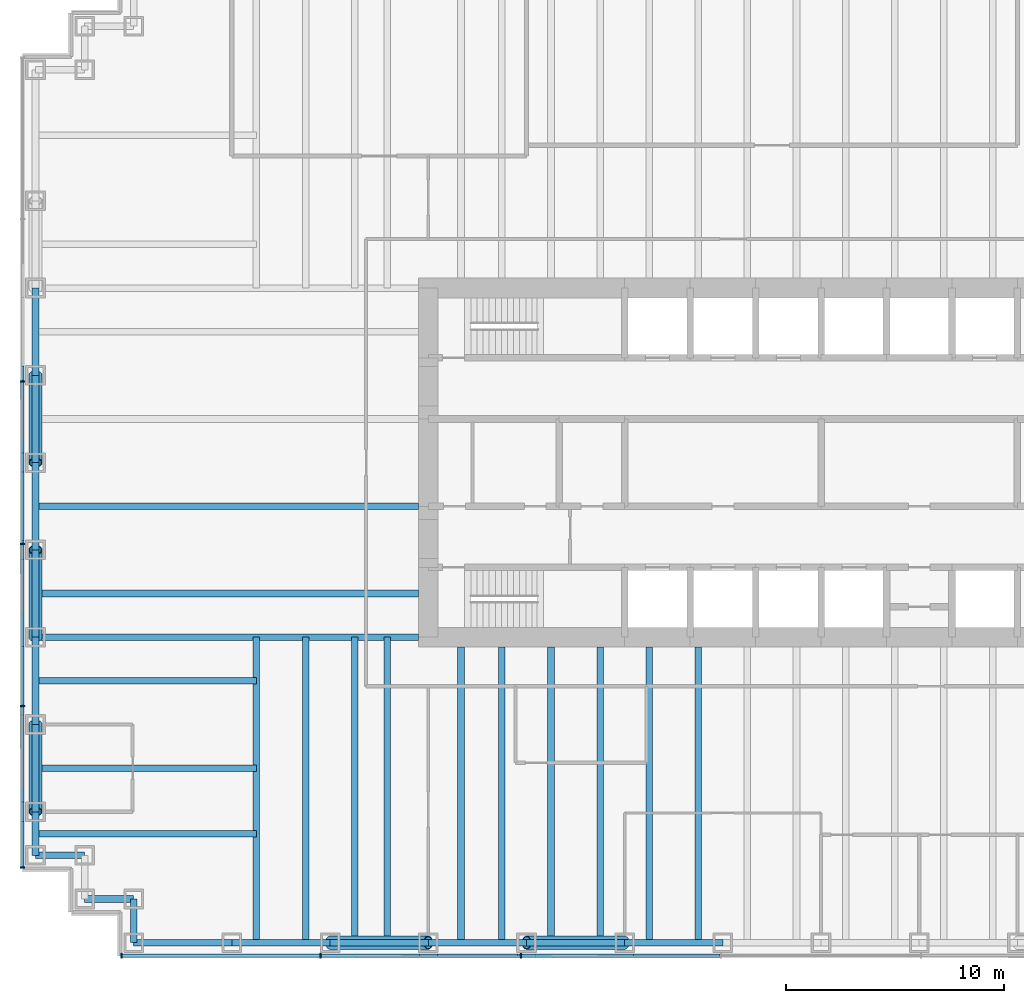
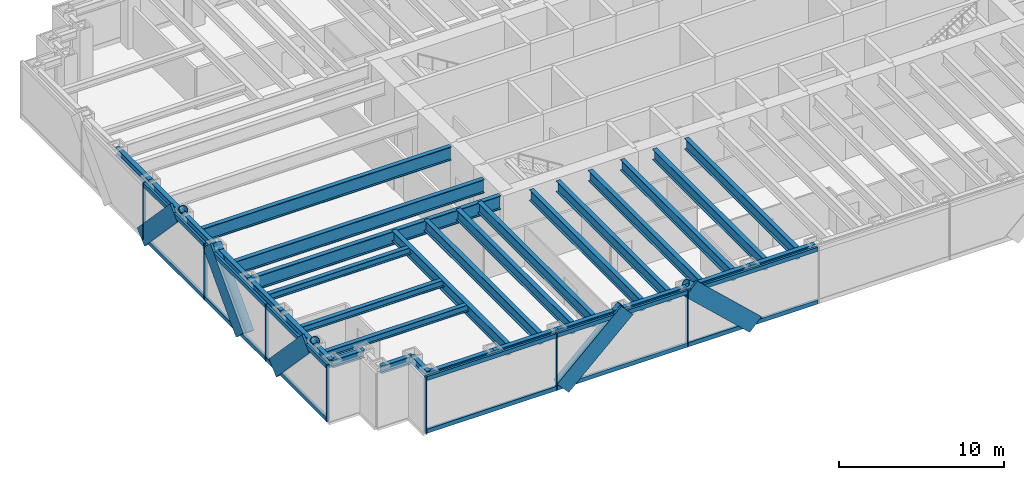
# One storey, part 2 of 15: 32 beams, 29 members, 2 elements without a shape of their own.
"""IFC4 building model written with IfcOpenShell, lengths in metres."""

from ifc_helpers import new_model, si_unit, direction, frame, origin, origin_2d, place, context, subcontext, project, spatial, rectangle, hollow_circle, i_section, extrude, material, material_profile, profile_set, type_object, element, aggregate, save


model = new_model("IFC4")

# Units and contexts
model_context = context("Model", 3, precision=1e-05, world=origin(), true_north=direction((0.0, 1.0)))
body_context = subcontext(model_context, "Body", "Model", "MODEL_VIEW")
ifc_project = project(units=[si_unit("LENGTHUNIT", "METRE"), si_unit("AREAUNIT", "SQUARE_METRE"), si_unit("VOLUMEUNIT", "CUBIC_METRE"), si_unit("PLANEANGLEUNIT", "RADIAN"), si_unit("MASSUNIT", "GRAM", prefix="KILO")], contexts=[model_context])

# Site, building, storey
site_placement = place(None, origin())
site = spatial("IfcSite", under=ifc_project, at=site_placement, CompositionType="ELEMENT")
building_placement = place(site_placement, origin())
building = spatial("IfcBuilding", under=site, at=building_placement, Name="Rheinbord Bourse Tower", CompositionType="ELEMENT")
storey_placement = place(building_placement, frame((0.0, 0.0, 134.10009765625)))
storey = spatial("IfcBuildingStorey", under=building, at=storey_placement, Name="L29", CompositionType="ELEMENT", Elevation=134.10009765625)

# Curtain wall, members
ifc_material_1 = material(Name="Dark glass and black aluminium", Category="aluminium")
curtain_wall_type = type_object("IfcCurtainWallType", Name="CW2 DARK GLASS CURTAIN WALL", PredefinedType="USERDEFINED", material=ifc_material_1)
curtain_wall_1_placement = place(storey_placement, origin())
curtain_wall_1 = element("IfcCurtainWall", 1, at=curtain_wall_1_placement, inside=storey, type_object=curtain_wall_type, Name="Curtain wall CW2 S L29", ObjectType="UNITISED CURTAIN WALL", PredefinedType="USERDEFINED")
ifc_material_2 = material(Name="Black anodised aluminium", Category="aluminium")
ifc_material_profile_1 = material_profile(ifc_material_2, rectangle(XDim=0.159912109375, YDim=1.2099609375, at=origin_2d()), Name="CW2 DIAGONAL MULLION 1210x160")
ifc_profile_set_1 = profile_set([ifc_material_profile_1], Name="Black anodised aluminium")
member_type_1 = type_object("IfcMemberType", Name="CW2 BLACK DIAGONAL MULLION", PredefinedType="USERDEFINED", material=ifc_profile_set_1)
member_1_placement = place(storey_placement, frame((13.5, 1.39990234375, 0.0), z_axis=(0.73105922506, 0.0, 0.682314010889), x_axis=(0.0, 1.0, 0.0)))
member_1 = element("IfcMember", 2, at=member_1_placement, type_object=member_type_1, Name="CW2 diagonal mullion a", ObjectType="DIAGONAL MULLION", PredefinedType="USERDEFINED", context=body_context, shape_type="SweptSolid", body=[
    extrude(rectangle(XDim=0.159912109375, YDim=1.2099609375, at=origin_2d()), origin(), (0.0, 0.0, 1.0), 6.155517578125),
])
member_2_placement = place(storey_placement, frame((27.0, 1.39990234375, 0.0), z_axis=(-0.73105922506, 0.0, 0.682314010889), x_axis=(0.0, -1.0, 0.0)))
member_2 = element("IfcMember", 3, at=member_2_placement, type_object=member_type_1, Name="CW2 diagonal mullion d", ObjectType="DIAGONAL MULLION", PredefinedType="USERDEFINED", context=body_context, shape_type="SweptSolid", body=[
    extrude(rectangle(XDim=0.159912109375, YDim=1.2099609375, at=origin_2d()), origin(), (0.0, 0.0, 1.0), 6.155517578125),
])

curtain_wall_2_placement = place(storey_placement, origin())
curtain_wall_2 = element("IfcCurtainWall", 4, at=curtain_wall_2_placement, inside=storey, type_object=curtain_wall_type, Name="Curtain wall CW2 W L29", ObjectType="UNITISED CURTAIN WALL", PredefinedType="USERDEFINED")
member_3_placement = place(storey_placement, frame((-0.60009765625, 28.0, 0.0), z_axis=(0.0, -0.689659376744, 0.724133926887), x_axis=(1.0, 0.0, 0.0)))
member_3 = element("IfcMember", 5, at=member_3_placement, type_object=member_type_1, Name="CW2 diagonal mullion a", ObjectType="DIAGONAL MULLION", PredefinedType="USERDEFINED", context=body_context, shape_type="SweptSolid", body=[
    extrude(rectangle(XDim=0.159912109375, YDim=1.2099609375, at=origin_2d()), origin(), (0.0, 0.0, 1.0), 5.800048828125),
])
member_4_placement = place(storey_placement, frame((-0.60009765625, 16.0, 0.0), z_axis=(0.0, 0.689659376744, 0.724133926887), x_axis=(-1.0, 0.0, 0.0)))
member_4 = element("IfcMember", 6, at=member_4_placement, type_object=member_type_1, Name="CW2 diagonal mullion b", ObjectType="DIAGONAL MULLION", PredefinedType="USERDEFINED", context=body_context, shape_type="SweptSolid", body=[
    extrude(rectangle(XDim=0.159912109375, YDim=1.2099609375, at=origin_2d()), origin(), (0.0, 0.0, 1.0), 5.800048828125),
])
member_5_placement = place(storey_placement, frame((-0.60009765625, 12.0, 0.0), z_axis=(0.0, -0.689659376744, 0.724133926887), x_axis=(1.0, 0.0, 0.0)))
member_5 = element("IfcMember", 7, at=member_5_placement, type_object=member_type_1, Name="CW2 diagonal mullion c", ObjectType="DIAGONAL MULLION", PredefinedType="USERDEFINED", context=body_context, shape_type="SweptSolid", body=[
    extrude(rectangle(XDim=0.159912109375, YDim=1.2099609375, at=origin_2d()), origin(), (0.0, 0.0, 1.0), 5.800048828125),
])

# Member
ifc_material_3 = material(Name="Black anodised aluminium", Category="aluminium")
ifc_material_profile_2 = material_profile(ifc_material_3, rectangle(XDim=0.219970703125, YDim=0.070068359375, at=origin_2d()), Name="CW2 MULLION 70x220")
ifc_profile_set_2 = profile_set([ifc_material_profile_2], Name="Black anodised aluminium")
member_type_2 = type_object("IfcMemberType", Name="CW2 BLACK MULLION", PredefinedType="MULLION", material=ifc_profile_set_2)
member_6_placement = place(storey_placement, frame((3.93505859375, 1.39990234375, 0.0), z_axis=(0.0, 0.0, 1.0), x_axis=(0.0, 1.0, 0.0)))
member_6 = element("IfcMember", 8, at=member_6_placement, type_object=member_type_2, Name="CW2 mullion 1", PredefinedType="MULLION", context=body_context, shape_type="SweptSolid", body=[
    extrude(rectangle(XDim=0.219970703125, YDim=0.070068359375, at=origin_2d()), origin(), (0.0, 0.0, 1.0), 4.199951171875),
])

member_7_placement = place(storey_placement, frame((13.071533203125, 1.39990234375, 0.0), z_axis=(0.0, 0.0, 1.0), x_axis=(0.0, 1.0, 0.0)))
member_7 = element("IfcMember", 9, at=member_7_placement, type_object=member_type_2, Name="CW2 mullion 2", PredefinedType="MULLION", context=body_context, shape_type="SweptSolid", body=[
    extrude(rectangle(XDim=0.219970703125, YDim=0.070068359375, at=origin_2d()), origin(), (0.0, 0.0, 1.0), 4.199951171875),
])

member_8_placement = place(storey_placement, frame((22.242919921875, 1.39990234375, 0.0), z_axis=(0.0, 0.0, 1.0), x_axis=(0.0, 1.0, 0.0)))
member_8 = element("IfcMember", 10, at=member_8_placement, type_object=member_type_2, Name="CW2 mullion 3", PredefinedType="MULLION", context=body_context, shape_type="SweptSolid", body=[
    extrude(rectangle(XDim=0.219970703125, YDim=0.070068359375, at=origin_2d()), origin(), (0.0, 0.0, 1.0), 4.199951171875),
])

member_9_placement = place(storey_placement, frame((-0.60009765625, 27.719970703125, 0.0), z_axis=(0.0, 0.0, 1.0), x_axis=(1.0, 0.0, 0.0)))
member_9 = element("IfcMember", 11, at=member_9_placement, type_object=member_type_2, Name="CW2 mullion 3", PredefinedType="MULLION", context=body_context, shape_type="SweptSolid", body=[
    extrude(rectangle(XDim=0.219970703125, YDim=0.070068359375, at=origin_2d()), origin(), (0.0, 0.0, 1.0), 4.199951171875),
])

member_10_placement = place(storey_placement, frame((-0.60009765625, 20.280029296875, 0.0), z_axis=(0.0, 0.0, 1.0), x_axis=(1.0, 0.0, 0.0)))
member_10 = element("IfcMember", 12, at=member_10_placement, type_object=member_type_2, Name="CW2 mullion 4", PredefinedType="MULLION", context=body_context, shape_type="SweptSolid", body=[
    extrude(rectangle(XDim=0.219970703125, YDim=0.070068359375, at=origin_2d()), origin(), (0.0, 0.0, 1.0), 4.199951171875),
])

member_11_placement = place(storey_placement, frame((-0.60009765625, 12.840087890625, 0.0), z_axis=(0.0, 0.0, 1.0), x_axis=(1.0, 0.0, 0.0)))
member_11 = element("IfcMember", 13, at=member_11_placement, type_object=member_type_2, Name="CW2 mullion 5", PredefinedType="MULLION", context=body_context, shape_type="SweptSolid", body=[
    extrude(rectangle(XDim=0.219970703125, YDim=0.070068359375, at=origin_2d()), origin(), (0.0, 0.0, 1.0), 4.199951171875),
])

member_12_placement = place(storey_placement, frame((-0.60009765625, 5.43505859375, 0.0), z_axis=(0.0, 0.0, 1.0), x_axis=(1.0, 0.0, 0.0)))
member_12 = element("IfcMember", 14, at=member_12_placement, type_object=member_type_2, Name="CW2 mullion 6", PredefinedType="MULLION", context=body_context, shape_type="SweptSolid", body=[
    extrude(rectangle(XDim=0.219970703125, YDim=0.070068359375, at=origin_2d()), origin(), (0.0, 0.0, 1.0), 4.199951171875),
])

ifc_material_4 = material(Name="Black anodised aluminium", Category="aluminium")
ifc_material_profile_3 = material_profile(ifc_material_4, rectangle(XDim=0.159912109375, YDim=0.300048828125, at=origin_2d()), Name="CW2 TRANSOM 300x160")
ifc_profile_set_3 = profile_set([ifc_material_profile_3], Name="Black anodised aluminium")
member_type_3 = type_object("IfcMemberType", Name="CW2 BLACK TRANSOM", PredefinedType="USERDEFINED", material=ifc_profile_set_3)
member_13_placement = place(storey_placement, frame((3.969970703125, 1.39990234375, 0.14990234375), z_axis=(1.0, 0.0, 0.0), x_axis=(0.0, 1.0, 0.0)))
member_13 = element("IfcMember", 15, at=member_13_placement, type_object=member_type_3, Name="CW2 transom 1.1", ObjectType="TRANSOM", PredefinedType="USERDEFINED", context=body_context, shape_type="SweptSolid", body=[
    extrude(rectangle(XDim=0.159912109375, YDim=0.300048828125, at=origin_2d()), origin(), (0.0, 0.0, 1.0), 9.06640625),
])

member_14_placement = place(storey_placement, frame((3.969970703125, 1.39990234375, 4.0498046875), z_axis=(1.0, 0.0, 0.0), x_axis=(0.0, 1.0, 0.0)))
member_14 = element("IfcMember", 16, at=member_14_placement, type_object=member_type_3, Name="CW2 transom 1.2", ObjectType="TRANSOM", PredefinedType="USERDEFINED", context=body_context, shape_type="SweptSolid", body=[
    extrude(rectangle(XDim=0.159912109375, YDim=0.300048828125, at=origin_2d()), origin(), (0.0, 0.0, 1.0), 9.06640625),
])

member_15_placement = place(storey_placement, frame((13.1064453125, 1.39990234375, 0.14990234375), z_axis=(1.0, 0.0, 0.0), x_axis=(0.0, 1.0, 0.0)))
member_15 = element("IfcMember", 17, at=member_15_placement, type_object=member_type_3, Name="CW2 transom 2.1", ObjectType="TRANSOM", PredefinedType="USERDEFINED", context=body_context, shape_type="SweptSolid", body=[
    extrude(rectangle(XDim=0.159912109375, YDim=0.300048828125, at=origin_2d()), origin(), (0.0, 0.0, 1.0), 9.101318359375),
])

member_16_placement = place(storey_placement, frame((13.1064453125, 1.39990234375, 4.0498046875), z_axis=(1.0, 0.0, 0.0), x_axis=(0.0, 1.0, 0.0)))
member_16 = element("IfcMember", 18, at=member_16_placement, type_object=member_type_3, Name="CW2 transom 2.2", ObjectType="TRANSOM", PredefinedType="USERDEFINED", context=body_context, shape_type="SweptSolid", body=[
    extrude(rectangle(XDim=0.159912109375, YDim=0.300048828125, at=origin_2d()), origin(), (0.0, 0.0, 1.0), 9.101318359375),
])

member_17_placement = place(storey_placement, frame((22.27783203125, 1.39990234375, 0.14990234375), z_axis=(1.0, 0.0, 0.0), x_axis=(0.0, 1.0, 0.0)))
member_17 = element("IfcMember", 19, at=member_17_placement, type_object=member_type_3, Name="CW2 transom 3.1", ObjectType="TRANSOM", PredefinedType="USERDEFINED", context=body_context, shape_type="SweptSolid", body=[
    extrude(rectangle(XDim=0.159912109375, YDim=0.300048828125, at=origin_2d()), origin(), (0.0, 0.0, 1.0), 9.1015625),
])

member_18_placement = place(storey_placement, frame((22.27783203125, 1.39990234375, 4.0498046875), z_axis=(1.0, 0.0, 0.0), x_axis=(0.0, 1.0, 0.0)))
member_18 = element("IfcMember", 20, at=member_18_placement, type_object=member_type_3, Name="CW2 transom 3.2", ObjectType="TRANSOM", PredefinedType="USERDEFINED", context=body_context, shape_type="SweptSolid", body=[
    extrude(rectangle(XDim=0.159912109375, YDim=0.300048828125, at=origin_2d()), origin(), (0.0, 0.0, 1.0), 9.1015625),
])

aggregate(curtain_wall_1, [member_6, member_7, member_8, member_13, member_14, member_15, member_16, member_17, member_18, member_1, member_2])

member_19_placement = place(storey_placement, frame((-0.60009765625, 27.68505859375, 0.14990234375), z_axis=(0.0, -1.0, 0.0), x_axis=(1.0, 0.0, 0.0)))
member_19 = element("IfcMember", 21, at=member_19_placement, type_object=member_type_3, Name="CW2 transom 3.1", ObjectType="TRANSOM", PredefinedType="USERDEFINED", context=body_context, shape_type="SweptSolid", body=[
    extrude(rectangle(XDim=0.159912109375, YDim=0.300048828125, at=origin_2d()), origin(), (0.0, 0.0, 1.0), 7.3701171875),
])

member_20_placement = place(storey_placement, frame((-0.60009765625, 27.68505859375, 4.0498046875), z_axis=(0.0, -1.0, 0.0), x_axis=(1.0, 0.0, 0.0)))
member_20 = element("IfcMember", 22, at=member_20_placement, type_object=member_type_3, Name="CW2 transom 3.2", ObjectType="TRANSOM", PredefinedType="USERDEFINED", context=body_context, shape_type="SweptSolid", body=[
    extrude(rectangle(XDim=0.159912109375, YDim=0.300048828125, at=origin_2d()), origin(), (0.0, 0.0, 1.0), 7.3701171875),
])

member_21_placement = place(storey_placement, frame((-0.60009765625, 20.2451171875, 0.14990234375), z_axis=(0.0, -1.0, 0.0), x_axis=(1.0, 0.0, 0.0)))
member_21 = element("IfcMember", 23, at=member_21_placement, type_object=member_type_3, Name="CW2 transom 4.1", ObjectType="TRANSOM", PredefinedType="USERDEFINED", context=body_context, shape_type="SweptSolid", body=[
    extrude(rectangle(XDim=0.159912109375, YDim=0.300048828125, at=origin_2d()), origin(), (0.0, 0.0, 1.0), 7.3701171875),
])

member_22_placement = place(storey_placement, frame((-0.60009765625, 20.2451171875, 4.0498046875), z_axis=(0.0, -1.0, 0.0), x_axis=(1.0, 0.0, 0.0)))
member_22 = element("IfcMember", 24, at=member_22_placement, type_object=member_type_3, Name="CW2 transom 4.2", ObjectType="TRANSOM", PredefinedType="USERDEFINED", context=body_context, shape_type="SweptSolid", body=[
    extrude(rectangle(XDim=0.159912109375, YDim=0.300048828125, at=origin_2d()), origin(), (0.0, 0.0, 1.0), 7.3701171875),
])

member_23_placement = place(storey_placement, frame((-0.60009765625, 12.804931640625, 0.14990234375), z_axis=(0.0, -1.0, 0.0), x_axis=(1.0, 0.0, 0.0)))
member_23 = element("IfcMember", 25, at=member_23_placement, type_object=member_type_3, Name="CW2 transom 5.1", ObjectType="TRANSOM", PredefinedType="USERDEFINED", context=body_context, shape_type="SweptSolid", body=[
    extrude(rectangle(XDim=0.159912109375, YDim=0.300048828125, at=origin_2d()), origin(), (0.0, 0.0, 1.0), 7.3349609375),
])

member_24_placement = place(storey_placement, frame((-0.60009765625, 12.804931640625, 4.0498046875), z_axis=(0.0, -1.0, 0.0), x_axis=(1.0, 0.0, 0.0)))
member_24 = element("IfcMember", 26, at=member_24_placement, type_object=member_type_3, Name="CW2 transom 5.2", ObjectType="TRANSOM", PredefinedType="USERDEFINED", context=body_context, shape_type="SweptSolid", body=[
    extrude(rectangle(XDim=0.159912109375, YDim=0.300048828125, at=origin_2d()), origin(), (0.0, 0.0, 1.0), 7.3349609375),
])

aggregate(curtain_wall_2, [member_9, member_10, member_11, member_12, member_19, member_20, member_21, member_22, member_23, member_24, member_3, member_4, member_5])

# Beams
ifc_material_5 = material(Name="Steel S460", Category="steel")
ifc_material_profile_4 = material_profile(ifc_material_5, i_section(OverallWidth=0.302001953125, OverallDepth=1.008056640625, WebThickness=0.02099609375, FlangeThickness=0.0400390625, at=origin_2d()), Name="HEM 1000")
ifc_profile_set_4 = profile_set([ifc_material_profile_4], Name="Steel S460")
beam_type_1 = type_object("IfcBeamType", Name="END BEAM HEM 1000", PredefinedType="BEAM", material=ifc_profile_set_4)
for number, where, z_axis, x_axis, name in (
    (27, (0.0, 18.0, 3.535888671875), (1.0, 0.0, 0.0), (0.0, 1.0, 0.0), "End beam west 18 L30"),
    (28, (0.0, 22.0, 3.535888671875), (1.0, 0.0, 0.0), (0.0, 1.0, 0.0), "End beam west 22 L30"),
):
    element("IfcBeam", number, at=place(storey_placement, frame(where, z_axis=z_axis, x_axis=x_axis)), inside=storey, type_object=beam_type_1, Name=name, PredefinedType="BEAM", context=body_context, shape_type="SweptSolid", body=[
        extrude(i_section(OverallWidth=0.302001953125, OverallDepth=1.008056640625, WebThickness=0.02099609375, FlangeThickness=0.0400390625, at=origin_2d()), origin(), (0.0, 0.0, 1.0), 17.550048828125),
    ])
ifc_material_6 = material(Name="Steel S460", Category="steel")
ifc_material_profile_5 = material_profile(ifc_material_6, i_section(OverallWidth=0.300048828125, OverallDepth=0.800048828125, WebThickness=0.017578125, FlangeThickness=0.032958984375, at=origin_2d()), Name="HEB 800")
ifc_profile_set_5 = profile_set([ifc_material_profile_5], Name="Steel S460")
beam_type_2 = type_object("IfcBeamType", Name="FLOOR BEAM HEB 800", PredefinedType="BEAM", material=ifc_profile_set_5)
for number, where, z_axis, x_axis, name in (
    (29, (10.125, 2.0, 3.639892578125), (0.0, 1.0, 0.0), (-1.0, 0.0, 0.0), "Floor beam S-9a L30"),
    (30, (12.375, 2.0, 3.639892578125), (0.0, 1.0, 0.0), (-1.0, 0.0, 0.0), "Floor beam S-9b L30"),
    (31, (14.625, 2.0, 3.639892578125), (0.0, 1.0, 0.0), (-1.0, 0.0, 0.0), "Floor beam S-13.5a L30"),
    (32, (16.125, 2.0, 3.639892578125), (0.0, 1.0, 0.0), (-1.0, 0.0, 0.0), "Floor beam S-13.5b L30"),
):
    element("IfcBeam", number, at=place(storey_placement, frame(where, z_axis=z_axis, x_axis=x_axis)), inside=storey, type_object=beam_type_2, Name=name, PredefinedType="BEAM", context=body_context, shape_type="SweptSolid", body=[
        extrude(i_section(OverallWidth=0.300048828125, OverallDepth=0.800048828125, WebThickness=0.017578125, FlangeThickness=0.032958984375, at=origin_2d()), origin(), (0.0, 0.0, 1.0), 14.0),
    ])
for number, where, z_axis, x_axis, name in (
    (33, (19.5, 2.0, 3.639892578125), (0.0, 1.0, 0.0), (-1.0, 0.0, 0.0), "Floor beam S-18a L30"),
    (34, (21.375, 2.0, 3.639892578125), (0.0, 1.0, 0.0), (-1.0, 0.0, 0.0), "Floor beam S-18b L30"),
    (35, (23.625, 2.0, 3.639892578125), (0.0, 1.0, 0.0), (-1.0, 0.0, 0.0), "Floor beam S-22.5a L30"),
    (36, (25.875, 2.0, 3.639892578125), (0.0, 1.0, 0.0), (-1.0, 0.0, 0.0), "Floor beam S-22.5b L30"),
    (37, (28.125, 2.0, 3.639892578125), (0.0, 1.0, 0.0), (-1.0, 0.0, 0.0), "Floor beam S-27a L30"),
    (38, (30.375, 2.0, 3.639892578125), (0.0, 1.0, 0.0), (-1.0, 0.0, 0.0), "Floor beam S-27b L30"),
):
    element("IfcBeam", number, at=place(storey_placement, frame(where, z_axis=z_axis, x_axis=x_axis)), inside=storey, type_object=beam_type_2, Name=name, PredefinedType="BEAM", context=body_context, shape_type="SweptSolid", body=[
        extrude(i_section(OverallWidth=0.300048828125, OverallDepth=0.800048828125, WebThickness=0.017578125, FlangeThickness=0.032958984375, at=origin_2d()), origin(), (0.0, 0.0, 1.0), 13.550048828125),
    ])
ifc_material_7 = material(Name="Steel S460", Category="steel")
ifc_material_profile_6 = material_profile(ifc_material_7, i_section(OverallWidth=0.302001953125, OverallDepth=1.008056640625, WebThickness=0.02099609375, FlangeThickness=0.0400390625, at=origin_2d()), Name="HEM 1000")
ifc_profile_set_6 = profile_set([ifc_material_profile_6], Name="Steel S460")
beam_type_3 = type_object("IfcBeamType", Name="GIRDER HEM 1000", PredefinedType="BEAM", material=ifc_profile_set_6)
beam_1_placement = place(storey_placement, frame((0.0, 16.0, 3.535888671875), z_axis=(1.0, 0.0, 0.0), x_axis=(0.0, 1.0, 0.0)))
element("IfcBeam", 39, at=beam_1_placement, inside=storey, type_object=beam_type_3, Name="Girder west 16 L30", PredefinedType="BEAM", context=body_context, shape_type="SweptSolid", body=[
    extrude(i_section(OverallWidth=0.302001953125, OverallDepth=1.008056640625, WebThickness=0.02099609375, FlangeThickness=0.0400390625, at=origin_2d()), origin(), (0.0, 0.0, 1.0), 17.550048828125),
])

# Members
ifc_material_8 = material(Name="Steel S460", Category="steel")
ifc_material_profile_7 = material_profile(ifc_material_8, hollow_circle(Radius=0.304931640625, WallThickness=0.0400390625, at=origin_2d()), Name="CHS 610x40")
ifc_profile_set_7 = profile_set([ifc_material_profile_7], Name="Steel S460")
member_type_4 = type_object("IfcMemberType", Name="MEGABRACE CHS 610x40", PredefinedType="BRACE", material=ifc_profile_set_7)
for number, where, z_axis, x_axis, name in (
    (40, (13.5, 2.0, 0.0), (0.73105922506, 0.0, 0.682314010889), (0.0, 1.0, 0.0), "Megabrace S face line a L29"),
    (41, (27.0, 2.0, 0.0), (-0.73105922506, 0.0, 0.682314010889), (0.0, -1.0, 0.0), "Megabrace S face line d L29"),
):
    element("IfcMember", number, at=place(storey_placement, frame(where, z_axis=z_axis, x_axis=x_axis)), inside=storey, type_object=member_type_4, Name=name, PredefinedType="BRACE", context=body_context, shape_type="SweptSolid", body=[
        extrude(hollow_circle(Radius=0.304931640625, WallThickness=0.0400390625, at=origin_2d()), origin(), (0.0, 0.0, 1.0), 6.155517578125),
    ])
for number, where, z_axis, x_axis, name in (
    (42, (0.0, 28.0, 0.0), (0.0, -0.689659376744, 0.724133926887), (1.0, 0.0, 0.0), "Megabrace W face line a L29"),
    (43, (0.0, 16.0, 0.0), (0.0, 0.689659376744, 0.724133926887), (-1.0, 0.0, 0.0), "Megabrace W face line b L29"),
    (44, (0.0, 12.0, 0.0), (0.0, -0.689659376744, 0.724133926887), (1.0, 0.0, 0.0), "Megabrace W face line c L29"),
):
    element("IfcMember", number, at=place(storey_placement, frame(where, z_axis=z_axis, x_axis=x_axis)), inside=storey, type_object=member_type_4, Name=name, PredefinedType="BRACE", context=body_context, shape_type="SweptSolid", body=[
        extrude(hollow_circle(Radius=0.304931640625, WallThickness=0.0400390625, at=origin_2d()), origin(), (0.0, 0.0, 1.0), 5.800048828125),
    ])

# Beams
ifc_material_9 = material(Name="Steel S460", Category="steel")
ifc_material_profile_8 = material_profile(ifc_material_9, i_section(OverallWidth=0.305908203125, OverallDepth=0.572021484375, WebThickness=0.02099609375, FlangeThickness=0.0400390625, at=origin_2d()), Name="HEM 550")
ifc_profile_set_8 = profile_set([ifc_material_profile_8], Name="Steel S460")
beam_type_4 = type_object("IfcBeamType", Name="SPANDREL HEM 550", PredefinedType="SPANDREL", material=ifc_profile_set_8)
for number, where, z_axis, x_axis, name in (
    (45, (4.5, 2.0, 3.75390625), (1.0, 0.0, 0.0), (0.0, 1.0, 0.0), "Spandrel SW-E-S-9 under L30"),
    (46, (9.0, 2.0, 3.75390625), (1.0, 0.0, 0.0), (0.0, 1.0, 0.0), "Spandrel S-9-S-13.5 under L30"),
    (47, (13.5, 2.0, 3.75390625), (1.0, 0.0, 0.0), (0.0, 1.0, 0.0), "Spandrel S-13.5-S-18 under L30"),
    (48, (18.0, 2.0, 3.75390625), (1.0, 0.0, 0.0), (0.0, 1.0, 0.0), "Spandrel S-18-S-22.5 under L30"),
    (49, (22.5, 2.0, 3.75390625), (1.0, 0.0, 0.0), (0.0, 1.0, 0.0), "Spandrel S-22.5-S-27 under L30"),
    (50, (27.0, 2.0, 3.75390625), (1.0, 0.0, 0.0), (0.0, 1.0, 0.0), "Spandrel S-27-S-31.5 under L30"),
):
    element("IfcBeam", number, at=place(storey_placement, frame(where, z_axis=z_axis, x_axis=x_axis)), inside=storey, type_object=beam_type_4, Name=name, PredefinedType="SPANDREL", context=body_context, shape_type="SweptSolid", body=[
        extrude(i_section(OverallWidth=0.305908203125, OverallDepth=0.572021484375, WebThickness=0.02099609375, FlangeThickness=0.0400390625, at=origin_2d()), origin(), (0.0, 0.0, 1.0), 4.5),
    ])
for number, where, z_axis, x_axis, name in (
    (51, (0.0, 32.0, 3.75390625), (0.0, -1.0, 0.0), (1.0, 0.0, 0.0), "Spandrel W-32-W-28 under L30"),
    (52, (0.0, 28.0, 3.75390625), (0.0, -1.0, 0.0), (1.0, 0.0, 0.0), "Spandrel W-28-W-24 under L30"),
    (53, (0.0, 24.0, 3.75390625), (0.0, -1.0, 0.0), (1.0, 0.0, 0.0), "Spandrel W-24-W-20 under L30"),
    (54, (0.0, 20.0, 3.75390625), (0.0, -1.0, 0.0), (1.0, 0.0, 0.0), "Spandrel W-20-W-16 under L30"),
    (55, (0.0, 16.0, 3.75390625), (0.0, -1.0, 0.0), (1.0, 0.0, 0.0), "Spandrel W-16-W-12 under L30"),
    (56, (0.0, 12.0, 3.75390625), (0.0, -1.0, 0.0), (1.0, 0.0, 0.0), "Spandrel W-12-W-8 under L30"),
):
    element("IfcBeam", number, at=place(storey_placement, frame(where, z_axis=z_axis, x_axis=x_axis)), inside=storey, type_object=beam_type_4, Name=name, PredefinedType="SPANDREL", context=body_context, shape_type="SweptSolid", body=[
        extrude(i_section(OverallWidth=0.305908203125, OverallDepth=0.572021484375, WebThickness=0.02099609375, FlangeThickness=0.0400390625, at=origin_2d()), origin(), (0.0, 0.0, 1.0), 4.0),
    ])
beam_2_placement = place(storey_placement, frame((0.0, 8.0, 3.75390625), z_axis=(0.0, -1.0, 0.0), x_axis=(1.0, 0.0, 0.0)))
element("IfcBeam", 57, at=beam_2_placement, inside=storey, type_object=beam_type_4, Name="Spandrel W-8-SW-A under L30", PredefinedType="SPANDREL", context=body_context, shape_type="SweptSolid", body=[
    extrude(i_section(OverallWidth=0.305908203125, OverallDepth=0.572021484375, WebThickness=0.02099609375, FlangeThickness=0.0400390625, at=origin_2d()), origin(), (0.0, 0.0, 1.0), 2.0),
])
for number, where, z_axis, x_axis, name in (
    (58, (0.0, 6.0, 3.75390625), (1.0, 0.0, 0.0), (0.0, 1.0, 0.0), "Spandrel SW-A-SW-B under L30"),
    (59, (2.25, 4.0, 3.75390625), (1.0, 0.0, 0.0), (0.0, 1.0, 0.0), "Spandrel SW-C-SW-D under L30"),
):
    element("IfcBeam", number, at=place(storey_placement, frame(where, z_axis=z_axis, x_axis=x_axis)), inside=storey, type_object=beam_type_4, Name=name, PredefinedType="SPANDREL", context=body_context, shape_type="SweptSolid", body=[
        extrude(i_section(OverallWidth=0.305908203125, OverallDepth=0.572021484375, WebThickness=0.02099609375, FlangeThickness=0.0400390625, at=origin_2d()), origin(), (0.0, 0.0, 1.0), 2.25),
    ])
beam_3_placement = place(storey_placement, frame((4.5, 4.0, 3.75390625), z_axis=(0.0, -1.0, 0.0), x_axis=(1.0, 0.0, 0.0)))
element("IfcBeam", 60, at=beam_3_placement, inside=storey, type_object=beam_type_4, Name="Spandrel SW-D-SW-E under L30", PredefinedType="SPANDREL", context=body_context, shape_type="SweptSolid", body=[
    extrude(i_section(OverallWidth=0.305908203125, OverallDepth=0.572021484375, WebThickness=0.02099609375, FlangeThickness=0.0400390625, at=origin_2d()), origin(), (0.0, 0.0, 1.0), 2.0),
])
ifc_material_10 = material(Name="Steel S460", Category="steel")
ifc_material_profile_9 = material_profile(ifc_material_10, i_section(OverallWidth=0.300048828125, OverallDepth=0.5, WebThickness=0.014404296875, FlangeThickness=0.028076171875, at=origin_2d()), Name="HEB 500")
ifc_profile_set_9 = profile_set([ifc_material_profile_9], Name="Steel S460")
beam_type_5 = type_object("IfcBeamType", Name="TIE BEAM HEB 500", PredefinedType="JOIST", material=ifc_profile_set_9)
for number, where, z_axis, x_axis, name in (
    (61, (0.0, 7.0, 3.789794921875), (1.0, 0.0, 0.0), (0.0, 1.0, 0.0), "Tie west 7 L30"),
    (62, (0.0, 10.0, 3.789794921875), (1.0, 0.0, 0.0), (0.0, 1.0, 0.0), "Tie west 10 L30"),
    (63, (0.0, 14.0, 3.789794921875), (1.0, 0.0, 0.0), (0.0, 1.0, 0.0), "Tie west 14 L30"),
):
    element("IfcBeam", number, at=place(storey_placement, frame(where, z_axis=z_axis, x_axis=x_axis)), inside=storey, type_object=beam_type_5, Name=name, PredefinedType="JOIST", context=body_context, shape_type="SweptSolid", body=[
        extrude(i_section(OverallWidth=0.300048828125, OverallDepth=0.5, WebThickness=0.014404296875, FlangeThickness=0.028076171875, at=origin_2d()), origin(), (0.0, 0.0, 1.0), 10.125),
    ])

save(model, "model.ifc")
